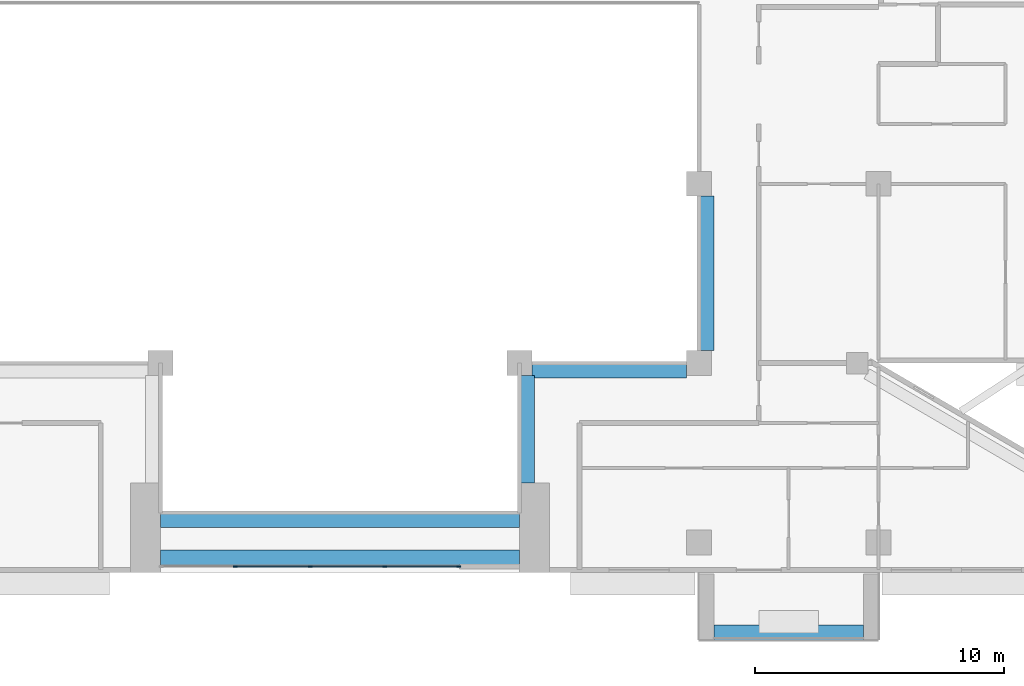
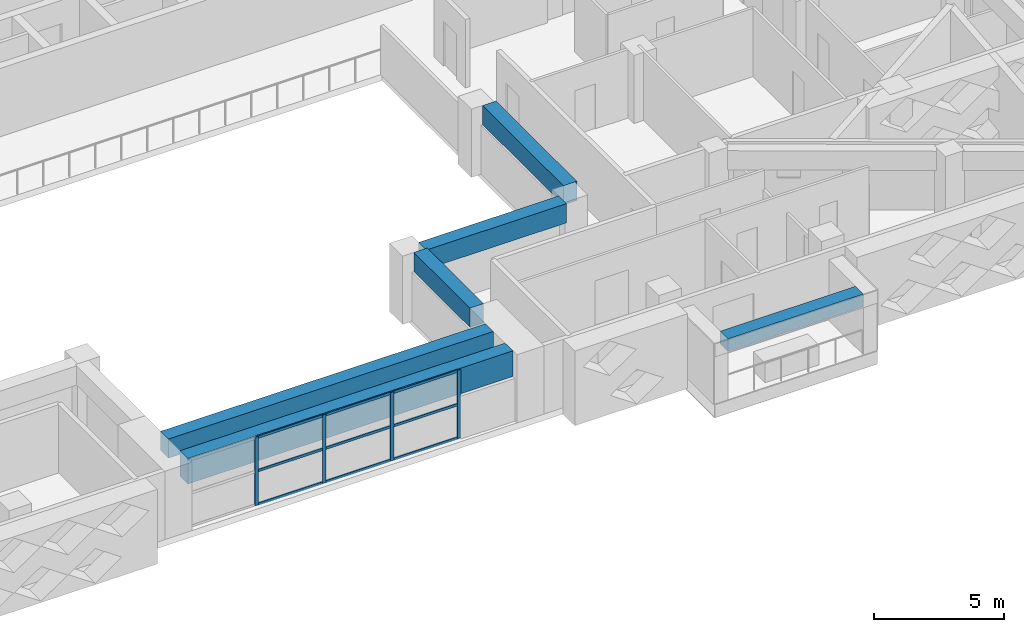
# One storey, part 4 of 19: 13 members, 6 beams, 1 element without a shape of its own.
"""IFC4 building model written with IfcOpenShell, lengths in metres."""

from ifc_helpers import new_model, si_unit, direction, frame, origin, origin_2d, place, context, subcontext, project, spatial, rectangle, extrude, source, transform, mapped, material, layer, layer_set, material_profile, profile_set, type_object, element, aggregate, save


model = new_model("IFC4")

# Units and contexts
model_context = context("Model", 3, precision=1e-05, world=origin(), true_north=direction((0.0, 1.0)))
body_context = subcontext(model_context, "Body", "Model", "MODEL_VIEW")
ifc_project = project(units=[si_unit("LENGTHUNIT", "METRE"), si_unit("AREAUNIT", "SQUARE_METRE"), si_unit("VOLUMEUNIT", "CUBIC_METRE"), si_unit("PLANEANGLEUNIT", "RADIAN"), si_unit("MASSUNIT", "GRAM", prefix="KILO")], contexts=[model_context])

# Site, building, storey
site_placement = place(None, origin())
site = spatial("IfcSite", under=ifc_project, at=site_placement, CompositionType="ELEMENT")
building_placement = place(site_placement, origin())
building = spatial("IfcBuilding", under=site, at=building_placement, Name="Saffron Iwan Residences", CompositionType="ELEMENT")
storey_placement = place(building_placement, frame((0.0, 0.0, 160.5)))
storey = spatial("IfcBuildingStorey", under=building, at=storey_placement, Name="L42", CompositionType="ELEMENT", Elevation=160.5)

# Beams
ifc_material_1 = material(Name="Concrete C50/60", Category="concrete")
ifc_material_profile_1 = material_profile(ifc_material_1, rectangle(XDim=0.60009765625, YDim=1.199951171875, at=origin_2d()), Name="RC 600x1200")
ifc_profile_set_1 = profile_set([ifc_material_profile_1], Name="Concrete C50/60")
beam_type_1 = type_object("IfcBeamType", Name="LINTEL BEAM RC 600x1200 C50/60 TOP 3200", PredefinedType="LINTEL", material=ifc_profile_set_1)
shared_shape_1 = source(origin(), body_context, "Body", "SweptSolid", [
    extrude(rectangle(XDim=0.60009765625, YDim=1.199951171875, at=origin_2d()), origin(), (0.0, 0.0, 1.0), 14.400146484375),
])
beam_1_placement = place(storey_placement, frame((57.60009765625, 40.199951171875, 2.60009765625), z_axis=(-1.0, 0.0, 0.0), x_axis=(0.0, -1.0, 0.0)))
element("IfcBeam", 1, at=beam_1_placement, inside=storey, type_object=beam_type_1, Name="Lintel beam over the iwan", PredefinedType="LINTEL", context=body_context, shape_type="MappedRepresentation", body=[
    mapped(shared_shape_1, transform((0.0, 0.0, 0.0))),
])
ifc_material_profile_2 = material_profile(ifc_material_1, rectangle(XDim=0.60009765625, YDim=0.89990234375, at=origin_2d()), Name="RC 600x900")
ifc_profile_set_2 = profile_set([ifc_material_profile_2], Name="Concrete C50/60")
beam_type_2 = type_object("IfcBeamType", Name="BEAM RC 600x900 C50/60 TOP 3200", PredefinedType="BEAM", material=ifc_profile_set_2)
shared_shape_2 = source(origin(), body_context, "Body", "SweptSolid", [
    extrude(rectangle(XDim=0.60009765625, YDim=0.89990234375, at=origin_2d()), origin(), (0.0, 0.0, 1.0), 14.400146484375),
])
beam_2_placement = place(storey_placement, frame((57.60009765625, 41.699951171875, 2.75), z_axis=(-1.0, 0.0, 0.0), x_axis=(0.0, -1.0, 0.0)))
element("IfcBeam", 2, at=beam_2_placement, inside=storey, type_object=beam_type_2, Name="Atrium edge beam", PredefinedType="BEAM", context=body_context, shape_type="MappedRepresentation", body=[
    mapped(shared_shape_2, transform((0.0, 0.0, 0.0))),
])
shared_shape_3 = source(origin(), body_context, "Body", "SweptSolid", [
    extrude(rectangle(XDim=0.60009765625, YDim=0.89990234375, at=origin_2d()), origin(), (0.0, 0.0, 1.0), 4.300048828125),
])
beam_3_placement = place(storey_placement, frame((57.89990234375, 47.5, 2.75), z_axis=(0.0, -1.0, 0.0), x_axis=(1.0, 0.0, 0.0)))
element("IfcBeam", 3, at=beam_3_placement, inside=storey, type_object=beam_type_2, Name="Atrium edge beam", PredefinedType="BEAM", context=body_context, shape_type="MappedRepresentation", body=[
    mapped(shared_shape_3, transform((0.0, 0.0, 0.0))),
])
shared_shape_4 = source(origin(), body_context, "Body", "SweptSolid", [
    extrude(rectangle(XDim=0.60009765625, YDim=0.89990234375, at=origin_2d()), origin(), (0.0, 0.0, 1.0), 6.199951171875),
])
for number, where, z_axis, x_axis, name in (
    (4, (64.300048828125, 47.699951171875, 2.75), (-1.0, 0.0, 0.0), (0.0, -1.0, 0.0), "Atrium edge beam"),
    (5, (65.10009765625, 54.699951171875, 2.75), (0.0, -1.0, 0.0), (1.0, 0.0, 0.0), "Atrium edge beam"),
):
    element("IfcBeam", number, at=place(storey_placement, frame(where, z_axis=z_axis, x_axis=x_axis)), inside=storey, type_object=beam_type_2, Name=name, PredefinedType="BEAM", context=body_context, shape_type="MappedRepresentation", body=[
        mapped(shared_shape_4, transform((0.0, 0.0, 0.0))),
    ])

# Curtain wall, members
ifc_material_2 = material(Name="Clear glass, laminated double glazed", Category="glass")
ifc_layer = layer(ifc_material_2, 0.199951171875)
ifc_layer_set = layer_set([ifc_layer], Name="Clear glass, laminated double glazed")
curtain_wall_type = type_object("IfcCurtainWallType", Name="CW-B IWAN PORTAL", PredefinedType="NOTDEFINED", material=ifc_layer_set)
curtain_wall_placement = place(storey_placement, origin())
curtain_wall = element("IfcCurtainWall", 6, at=curtain_wall_placement, inside=storey, type_object=curtain_wall_type, Name="Iwan portal glazing L42.1", PredefinedType="NOTDEFINED")
ifc_material_3 = material(Name="Aluminium 6063-T6", Category="aluminium")
ifc_material_profile_3 = material_profile(ifc_material_3, rectangle(XDim=0.06005859375, YDim=0.1201171875, at=origin_2d()), Name="CW-B TRANSOM 60 x 120")
ifc_profile_set_3 = profile_set([ifc_material_profile_3], Name="Aluminium 6063-T6")
member_type_1 = type_object("IfcMemberType", Name="CW-B TRANSOM 60 x 120", PredefinedType="USERDEFINED", material=ifc_profile_set_3)
shared_shape_5 = source(origin(), body_context, "Body", "SweptSolid", [
    extrude(rectangle(XDim=0.06005859375, YDim=0.1201171875, at=origin_2d()), origin(), (0.0, 0.0, 1.0), 2.909912109375),
])
member_1_placement = place(storey_placement, frame((52.22998046875, 39.85009765625, 0.030029296875), z_axis=(1.0, 0.0, 0.0), x_axis=(0.0, 1.0, 0.0)))
member_1 = element("IfcMember", 7, at=member_1_placement, type_object=member_type_1, Name="CW-B transom 4.1", ObjectType="TRANSOM", PredefinedType="USERDEFINED", context=body_context, shape_type="MappedRepresentation", body=[
    mapped(shared_shape_5, transform((0.0, 0.0, 0.0))),
])
member_2_placement = place(storey_placement, frame((52.22998046875, 39.85009765625, 1.60009765625), z_axis=(1.0, 0.0, 0.0), x_axis=(0.0, 1.0, 0.0)))
member_2 = element("IfcMember", 8, at=member_2_placement, type_object=member_type_1, Name="CW-B transom 4.2", ObjectType="TRANSOM", PredefinedType="USERDEFINED", context=body_context, shape_type="MappedRepresentation", body=[
    mapped(shared_shape_5, transform((0.0, 0.0, 0.0))),
])
member_3_placement = place(storey_placement, frame((52.22998046875, 39.85009765625, 3.169921875), z_axis=(1.0, 0.0, 0.0), x_axis=(0.0, 1.0, 0.0)))
member_3 = element("IfcMember", 9, at=member_3_placement, type_object=member_type_1, Name="CW-B transom 4.3", ObjectType="TRANSOM", PredefinedType="USERDEFINED", context=body_context, shape_type="MappedRepresentation", body=[
    mapped(shared_shape_5, transform((0.0, 0.0, 0.0))),
])
shared_shape_6 = source(origin(), body_context, "Body", "SweptSolid", [
    extrude(rectangle(XDim=0.06005859375, YDim=0.1201171875, at=origin_2d()), origin(), (0.0, 0.0, 1.0), 2.93994140625),
])
member_4_placement = place(storey_placement, frame((46.22998046875, 39.85009765625, 0.030029296875), z_axis=(1.0, 0.0, 0.0), x_axis=(0.0, 1.0, 0.0)))
member_4 = element("IfcMember", 10, at=member_4_placement, type_object=member_type_1, Name="CW-B transom 2.1", ObjectType="TRANSOM", PredefinedType="USERDEFINED", context=body_context, shape_type="MappedRepresentation", body=[
    mapped(shared_shape_6, transform((0.0, 0.0, 0.0))),
])
member_5_placement = place(storey_placement, frame((46.22998046875, 39.85009765625, 1.60009765625), z_axis=(1.0, 0.0, 0.0), x_axis=(0.0, 1.0, 0.0)))
member_5 = element("IfcMember", 11, at=member_5_placement, type_object=member_type_1, Name="CW-B transom 2.2", ObjectType="TRANSOM", PredefinedType="USERDEFINED", context=body_context, shape_type="MappedRepresentation", body=[
    mapped(shared_shape_6, transform((0.0, 0.0, 0.0))),
])
member_6_placement = place(storey_placement, frame((46.22998046875, 39.85009765625, 3.169921875), z_axis=(1.0, 0.0, 0.0), x_axis=(0.0, 1.0, 0.0)))
member_6 = element("IfcMember", 12, at=member_6_placement, type_object=member_type_1, Name="CW-B transom 2.3", ObjectType="TRANSOM", PredefinedType="USERDEFINED", context=body_context, shape_type="MappedRepresentation", body=[
    mapped(shared_shape_6, transform((0.0, 0.0, 0.0))),
])
member_7_placement = place(storey_placement, frame((49.22998046875, 39.85009765625, 0.030029296875), z_axis=(1.0, 0.0, 0.0), x_axis=(0.0, 1.0, 0.0)))
member_7 = element("IfcMember", 13, at=member_7_placement, type_object=member_type_1, Name="CW-B transom 3.1", ObjectType="TRANSOM", PredefinedType="USERDEFINED", context=body_context, shape_type="MappedRepresentation", body=[
    mapped(shared_shape_6, transform((0.0, 0.0, 0.0))),
])
member_8_placement = place(storey_placement, frame((49.22998046875, 39.85009765625, 1.60009765625), z_axis=(1.0, 0.0, 0.0), x_axis=(0.0, 1.0, 0.0)))
member_8 = element("IfcMember", 14, at=member_8_placement, type_object=member_type_1, Name="CW-B transom 3.2", ObjectType="TRANSOM", PredefinedType="USERDEFINED", context=body_context, shape_type="MappedRepresentation", body=[
    mapped(shared_shape_6, transform((0.0, 0.0, 0.0))),
])
member_9_placement = place(storey_placement, frame((49.22998046875, 39.85009765625, 3.169921875), z_axis=(1.0, 0.0, 0.0), x_axis=(0.0, 1.0, 0.0)))
member_9 = element("IfcMember", 15, at=member_9_placement, type_object=member_type_1, Name="CW-B transom 3.3", ObjectType="TRANSOM", PredefinedType="USERDEFINED", context=body_context, shape_type="MappedRepresentation", body=[
    mapped(shared_shape_6, transform((0.0, 0.0, 0.0))),
])

# Beam
ifc_material_4 = material(Name="Concrete C50/60 white painted", Category="concrete")
ifc_material_profile_4 = material_profile(ifc_material_4, rectangle(XDim=0.60009765625, YDim=0.60009765625, at=origin_2d()), Name="BALCONY FASCIA BEAM 600 x 600")
ifc_profile_set_4 = profile_set([ifc_material_profile_4], Name="Concrete C50/60 white painted")
beam_type_3 = type_object("IfcBeamType", Name="BALCONY FASCIA BEAM 600 x 600", PredefinedType="BEAM", material=ifc_profile_set_4)
shared_shape_7 = source(origin(), body_context, "Body", "SweptSolid", [
    extrude(rectangle(XDim=0.60009765625, YDim=0.60009765625, at=origin_2d()), origin(), (0.0, 0.0, 1.0), 6.0),
])
beam_4_placement = place(storey_placement, frame((65.39990234375, 37.199951171875, 2.550048828125), z_axis=(1.0, 0.0, 0.0), x_axis=(0.0, 1.0, 0.0)))
element("IfcBeam", 16, at=beam_4_placement, inside=storey, type_object=beam_type_3, Name="Balcony fascia beam L42 11-1", PredefinedType="BEAM", context=body_context, shape_type="MappedRepresentation", body=[
    mapped(shared_shape_7, transform((0.0, 0.0, 0.0))),
])

# Member
ifc_material_profile_5 = material_profile(ifc_material_3, rectangle(XDim=0.06005859375, YDim=0.159912109375, at=origin_2d()), Name="CW-B MULLION 60 x 160")
ifc_profile_set_5 = profile_set([ifc_material_profile_5], Name="Aluminium 6063-T6")
member_type_2 = type_object("IfcMemberType", Name="CW-B MULLION 60 x 160", PredefinedType="MULLION", material=ifc_profile_set_5)
shared_shape_8 = source(origin(), body_context, "Body", "SweptSolid", [
    extrude(rectangle(XDim=0.06005859375, YDim=0.159912109375, at=origin_2d()), origin(), (0.0, 0.0, 1.0), 3.199951171875),
])
member_10_placement = place(storey_placement, frame((46.199951171875, 39.85009765625, 0.0), z_axis=(0.0, 0.0, 1.0), x_axis=(0.0, 1.0, 0.0)))
member_10 = element("IfcMember", 17, at=member_10_placement, type_object=member_type_2, Name="CW-B mullion 2", PredefinedType="MULLION", context=body_context, shape_type="MappedRepresentation", body=[
    mapped(shared_shape_8, transform((0.0, 0.0, 0.0))),
])

member_11_placement = place(storey_placement, frame((49.199951171875, 39.85009765625, 0.0), z_axis=(0.0, 0.0, 1.0), x_axis=(0.0, 1.0, 0.0)))
member_11 = element("IfcMember", 18, at=member_11_placement, type_object=member_type_2, Name="CW-B mullion 3", PredefinedType="MULLION", context=body_context, shape_type="MappedRepresentation", body=[
    mapped(shared_shape_8, transform((0.0, 0.0, 0.0))),
])

member_12_placement = place(storey_placement, frame((52.199951171875, 39.85009765625, 0.0), z_axis=(0.0, 0.0, 1.0), x_axis=(0.0, 1.0, 0.0)))
member_12 = element("IfcMember", 19, at=member_12_placement, type_object=member_type_2, Name="CW-B mullion 4", PredefinedType="MULLION", context=body_context, shape_type="MappedRepresentation", body=[
    mapped(shared_shape_8, transform((0.0, 0.0, 0.0))),
])

member_13_placement = place(storey_placement, frame((55.169921875, 39.85009765625, 0.0), z_axis=(0.0, 0.0, 1.0), x_axis=(0.0, 1.0, 0.0)))
member_13 = element("IfcMember", 20, at=member_13_placement, type_object=member_type_2, Name="CW-B mullion 5", PredefinedType="MULLION", context=body_context, shape_type="MappedRepresentation", body=[
    mapped(shared_shape_8, transform((0.0, 0.0, 0.0))),
])

aggregate(curtain_wall, [member_10, member_11, member_12, member_13, member_4, member_5, member_6, member_7, member_8, member_9, member_1, member_2, member_3])

save(model, "model.ifc")
